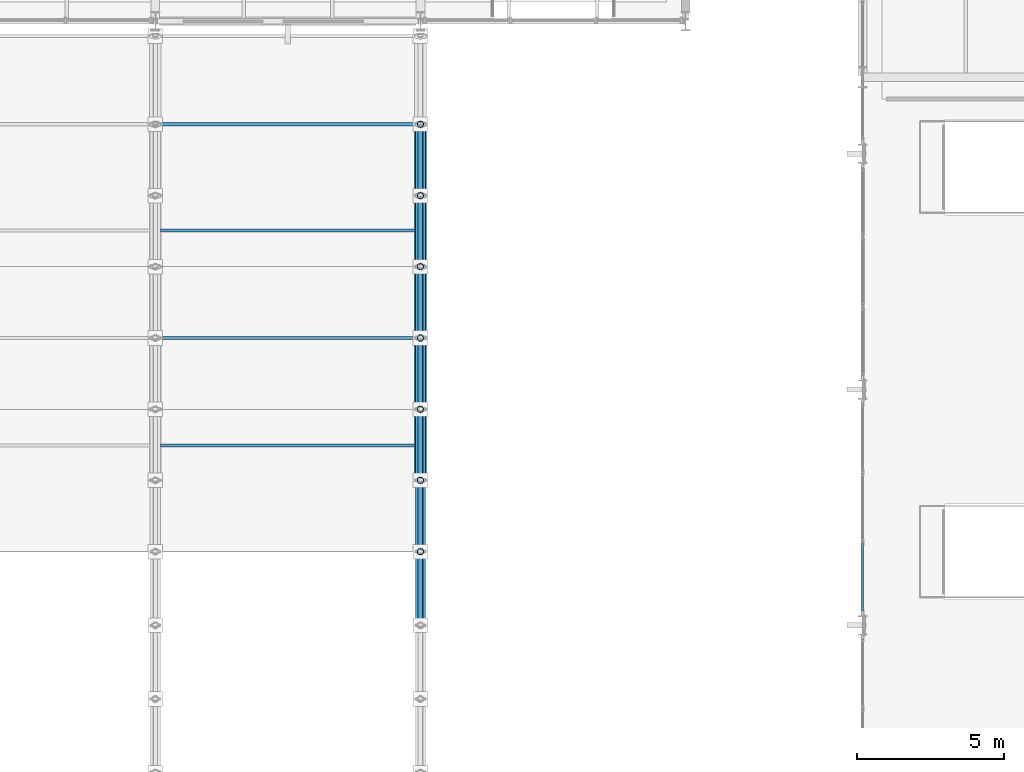
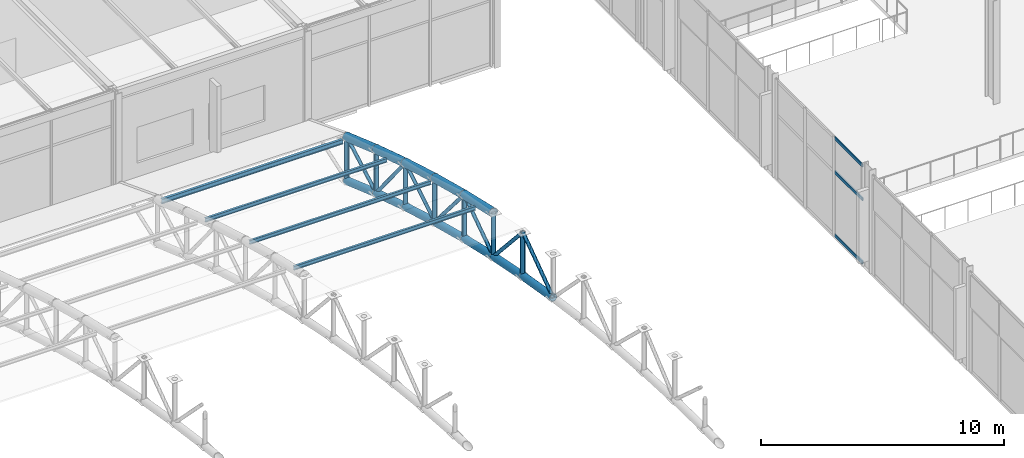
# One storey, part 48 of 195: 33 members, 1 element without a shape of its own.
"""IFC4 building model written with IfcOpenShell, lengths in metres."""

from ifc_helpers import new_model, si_unit, direction, frame, origin, origin_2d, place, context, subcontext, project, spatial, hollow_rectangle, hollow_circle, i_section, extrude, material, layer, layer_set, material_profile, profile_set, type_object, element, aggregate, save


model = new_model("IFC4")

# Units and contexts
model_context = context("Model", 3, precision=1e-05, world=origin(), true_north=direction((0.0, 1.0)))
body_context = subcontext(model_context, "Body", "Model", "MODEL_VIEW")
ifc_project = project(units=[si_unit("LENGTHUNIT", "METRE"), si_unit("AREAUNIT", "SQUARE_METRE"), si_unit("VOLUMEUNIT", "CUBIC_METRE"), si_unit("PLANEANGLEUNIT", "RADIAN"), si_unit("MASSUNIT", "GRAM", prefix="KILO")], contexts=[model_context])

# Site, building, storey
site_placement = place(None, origin())
site = spatial("IfcSite", under=ifc_project, at=site_placement, CompositionType="ELEMENT")
building_placement = place(site_placement, origin())
building = spatial("IfcBuilding", under=site, at=building_placement, Name="Marlcrest Central Station", CompositionType="ELEMENT")
storey_placement = place(building_placement, frame((0.0, 0.0, 9.800048828125)))
storey = spatial("IfcBuildingStorey", under=building, at=storey_placement, Name="L02", CompositionType="ELEMENT", Elevation=9.800048828125)

# Members
ifc_material_1 = material(Name="Steel S355", Category="steel")
ifc_material_profile_1 = material_profile(ifc_material_1, hollow_circle(Radius=0.203125, WallThickness=0.02001953125, at=origin_2d()), Name="CHS 406.4x20")
ifc_profile_set_1 = profile_set([ifc_material_profile_1], Name="Steel S355")
member_type_1 = type_object("IfcMemberType", Name="AC-01", PredefinedType="CHORD", material=ifc_profile_set_1)
member_1_placement = place(storey_placement, frame((72.0, 83.419921875, 5.116943359375), z_axis=(0.0, 0.974329612642, -0.225126200004), x_axis=(-1.0, 0.0, 0.0)))
element("IfcMember", 1, at=member_1_placement, inside=storey, type_object=member_type_1, Name="mem-AC-01-L02-01067", PredefinedType="CHORD", context=body_context, shape_type="SweptSolid", body=[
    extrude(hollow_circle(Radius=0.203125, WallThickness=0.02001953125, at=origin_2d()), origin(), (0.0, 0.0, 1.0), 2.4736328125),
])
member_2_placement = place(storey_placement, frame((72.0, 85.830078125, 4.56005859375), z_axis=(0.0, 0.967539481681, -0.252719906989), x_axis=(-1.0, 0.0, 0.0)))
element("IfcMember", 2, at=member_2_placement, inside=storey, type_object=member_type_1, Name="mem-AC-01-L02-01071", PredefinedType="CHORD", context=body_context, shape_type="SweptSolid", body=[
    extrude(hollow_circle(Radius=0.203125, WallThickness=0.02001953125, at=origin_2d()), origin(), (0.0, 0.0, 1.0), 2.501220703125),
])
member_3_placement = place(storey_placement, frame((72.0, 88.25, 3.927978515625), z_axis=(0.0, 0.960130083362, -0.27955361386), x_axis=(-1.0, 0.0, 0.0)))
element("IfcMember", 3, at=member_3_placement, inside=storey, type_object=member_type_1, Name="mem-AC-01-L02-01075", PredefinedType="CHORD", context=body_context, shape_type="SweptSolid", body=[
    extrude(hollow_circle(Radius=0.203125, WallThickness=0.02001953125, at=origin_2d()), origin(), (0.0, 0.0, 1.0), 2.5205078125),
])
member_4_placement = place(storey_placement, frame((72.0, 90.669921875, 3.223388671875), z_axis=(0.0, 0.952116828449, -0.305734435391), x_axis=(-1.0, 0.0, 0.0)))
element("IfcMember", 4, at=member_4_placement, inside=storey, type_object=member_type_1, Name="mem-AC-01-L02-01079", PredefinedType="CHORD", context=body_context, shape_type="SweptSolid", body=[
    extrude(hollow_circle(Radius=0.203125, WallThickness=0.02001953125, at=origin_2d()), origin(), (0.0, 0.0, 1.0), 2.53125),
])
member_5_placement = place(storey_placement, frame((72.0, 93.080078125, 2.449462890625), z_axis=(0.0, 0.94353735649, -0.331266142109), x_axis=(-1.0, 0.0, 0.0)))
element("IfcMember", 5, at=member_5_placement, inside=storey, type_object=member_type_1, Name="mem-AC-01-L02-01083", PredefinedType="CHORD", context=body_context, shape_type="SweptSolid", body=[
    extrude(hollow_circle(Radius=0.203125, WallThickness=0.02001953125, at=origin_2d()), origin(), (0.0, 0.0, 1.0), 2.564697265625),
])
ifc_material_profile_2 = material_profile(ifc_material_1, hollow_circle(Radius=0.177734375, WallThickness=0.01611328125, at=origin_2d()), Name="CHS 355.6x16")
ifc_profile_set_2 = profile_set([ifc_material_profile_2], Name="Steel S355")
member_type_2 = type_object("IfcMemberType", Name="AC-02", PredefinedType="CHORD", material=ifc_profile_set_2)
member_6_placement = place(storey_placement, frame((72.0, 78.5, 3.83056640625), z_axis=(0.0, 0.98574109921, -0.168269086076), x_axis=(-1.0, 0.0, 0.0)))
element("IfcMember", 6, at=member_6_placement, inside=storey, type_object=member_type_2, Name="mem-AC-02-L02-01060", PredefinedType="CHORD", context=body_context, shape_type="SweptSolid", body=[
    extrude(hollow_circle(Radius=0.177734375, WallThickness=0.01611328125, at=origin_2d()), origin(), (0.0, 0.0, 1.0), 2.5361328125),
])
member_7_placement = place(storey_placement, frame((72.0, 81.0, 3.40380859375), z_axis=(0.0, 0.980359417961, -0.197219196874), x_axis=(-1.0, 0.0, 0.0)))
element("IfcMember", 7, at=member_7_placement, inside=storey, type_object=member_type_2, Name="mem-AC-02-L02-01064", PredefinedType="CHORD", context=body_context, shape_type="SweptSolid", body=[
    extrude(hollow_circle(Radius=0.177734375, WallThickness=0.01611328125, at=origin_2d()), origin(), (0.0, 0.0, 1.0), 2.468505859375),
])
member_8_placement = place(storey_placement, frame((72.0, 83.419921875, 2.9169921875), z_axis=(0.0, 0.974307959875, -0.225219891049), x_axis=(-1.0, 0.0, 0.0)))
element("IfcMember", 8, at=member_8_placement, inside=storey, type_object=member_type_2, Name="mem-AC-02-L02-01068", PredefinedType="CHORD", context=body_context, shape_type="SweptSolid", body=[
    extrude(hollow_circle(Radius=0.177734375, WallThickness=0.01611328125, at=origin_2d()), origin(), (0.0, 0.0, 1.0), 2.4736328125),
])
member_9_placement = place(storey_placement, frame((72.0, 85.830078125, 2.35986328125), z_axis=(0.0, 0.967563345928, -0.252628524946), x_axis=(-1.0, 0.0, 0.0)))
element("IfcMember", 9, at=member_9_placement, inside=storey, type_object=member_type_2, Name="mem-AC-02-L02-01072", PredefinedType="CHORD", context=body_context, shape_type="SweptSolid", body=[
    extrude(hollow_circle(Radius=0.177734375, WallThickness=0.01611328125, at=origin_2d()), origin(), (0.0, 0.0, 1.0), 2.5009765625),
])
member_10_placement = place(storey_placement, frame((72.0, 88.25, 1.72802734375), z_axis=(0.0, 0.960130083362, -0.27955361386), x_axis=(-1.0, 0.0, 0.0)))
element("IfcMember", 10, at=member_10_placement, inside=storey, type_object=member_type_2, Name="mem-AC-02-L02-01076", PredefinedType="CHORD", context=body_context, shape_type="SweptSolid", body=[
    extrude(hollow_circle(Radius=0.177734375, WallThickness=0.01611328125, at=origin_2d()), origin(), (0.0, 0.0, 1.0), 2.5205078125),
])
member_11_placement = place(storey_placement, frame((72.0, 90.669921875, 1.0234375), z_axis=(0.0, 0.952116828449, -0.305734435391), x_axis=(-1.0, 0.0, 0.0)))
element("IfcMember", 11, at=member_11_placement, inside=storey, type_object=member_type_2, Name="mem-AC-02-L02-01080", PredefinedType="CHORD", context=body_context, shape_type="SweptSolid", body=[
    extrude(hollow_circle(Radius=0.177734375, WallThickness=0.01611328125, at=origin_2d()), origin(), (0.0, 0.0, 1.0), 2.53125),
])
member_12_placement = place(storey_placement, frame((72.0, 93.080078125, 0.24951171875), z_axis=(0.0, 0.94353735649, -0.331266142109), x_axis=(-1.0, 0.0, 0.0)))
element("IfcMember", 12, at=member_12_placement, inside=storey, type_object=member_type_2, Name="mem-AC-02-L02-01084", PredefinedType="CHORD", context=body_context, shape_type="SweptSolid", body=[
    extrude(hollow_circle(Radius=0.177734375, WallThickness=0.01611328125, at=origin_2d()), origin(), (0.0, 0.0, 1.0), 2.564697265625),
])
ifc_material_profile_3 = material_profile(ifc_material_1, hollow_circle(Radius=0.084228515625, WallThickness=0.010009765625, at=origin_2d()), Name="CHS 168.3x10")
ifc_profile_set_3 = profile_set([ifc_material_profile_3], Name="Steel S355")
member_type_3 = type_object("IfcMemberType", Name="AD-01", PredefinedType="BRACE", material=ifc_profile_set_3)
member_13_placement = place(storey_placement, frame((72.0, 78.5, 3.83056640625), z_axis=(0.0, 0.815661132754, 0.57852996164), x_axis=(-1.0, 0.0, 0.0)))
element("IfcMember", 13, at=member_13_placement, inside=storey, type_object=member_type_3, Name="mem-AD-01-L02-01062", PredefinedType="BRACE", context=body_context, shape_type="SweptSolid", body=[
    extrude(hollow_circle(Radius=0.084228515625, WallThickness=0.010009765625, at=origin_2d()), origin(), (0.0, 0.0, 1.0), 3.06494140625),
])
member_14_placement = place(storey_placement, frame((72.0, 81.0, 5.603759765625), z_axis=(0.0, 0.669244457479, -0.743042297675), x_axis=(-1.0, 0.0, 0.0)))
element("IfcMember", 14, at=member_14_placement, inside=storey, type_object=member_type_3, Name="mem-AD-01-L02-01066", PredefinedType="BRACE", context=body_context, shape_type="SweptSolid", body=[
    extrude(hollow_circle(Radius=0.084228515625, WallThickness=0.010009765625, at=origin_2d()), origin(), (0.0, 0.0, 1.0), 3.615966796875),
])
member_15_placement = place(storey_placement, frame((72.0, 83.419921875, 2.9169921875), z_axis=(0.0, 0.82626275624, 0.563284881432), x_axis=(-1.0, 0.0, 0.0)))
element("IfcMember", 15, at=member_15_placement, inside=storey, type_object=member_type_3, Name="mem-AD-01-L02-01070", PredefinedType="BRACE", context=body_context, shape_type="SweptSolid", body=[
    extrude(hollow_circle(Radius=0.084228515625, WallThickness=0.010009765625, at=origin_2d()), origin(), (0.0, 0.0, 1.0), 2.9169921875),
])
member_16_placement = place(storey_placement, frame((72.0, 85.830078125, 4.56005859375), z_axis=(0.0, 0.649624779144, -0.760254987699), x_axis=(-1.0, 0.0, 0.0)))
element("IfcMember", 16, at=member_16_placement, inside=storey, type_object=member_type_3, Name="mem-AD-01-L02-01074", PredefinedType="BRACE", context=body_context, shape_type="SweptSolid", body=[
    extrude(hollow_circle(Radius=0.084228515625, WallThickness=0.010009765625, at=origin_2d()), origin(), (0.0, 0.0, 1.0), 3.72509765625),
])
member_17_placement = place(storey_placement, frame((72.0, 88.25, 1.72802734375), z_axis=(0.0, 0.850687380038, 0.525671933286), x_axis=(-1.0, 0.0, 0.0)))
element("IfcMember", 17, at=member_17_placement, inside=storey, type_object=member_type_3, Name="mem-AD-01-L02-01078", PredefinedType="BRACE", context=body_context, shape_type="SweptSolid", body=[
    extrude(hollow_circle(Radius=0.084228515625, WallThickness=0.010009765625, at=origin_2d()), origin(), (0.0, 0.0, 1.0), 2.8447265625),
])
member_18_placement = place(storey_placement, frame((72.0, 90.669921875, 3.223388671875), z_axis=(0.0, 0.62962929743, -0.776895712318), x_axis=(-1.0, 0.0, 0.0)))
element("IfcMember", 18, at=member_18_placement, inside=storey, type_object=member_type_3, Name="mem-AD-01-L02-01082", PredefinedType="BRACE", context=body_context, shape_type="SweptSolid", body=[
    extrude(hollow_circle(Radius=0.084228515625, WallThickness=0.010009765625, at=origin_2d()), origin(), (0.0, 0.0, 1.0), 3.827880859375),
])
member_19_placement = place(storey_placement, frame((72.0, 93.080078125, 0.24951171875), z_axis=(0.0, 0.873245653167, 0.487280236851), x_axis=(-1.0, 0.0, 0.0)))
element("IfcMember", 19, at=member_19_placement, inside=storey, type_object=member_type_3, Name="mem-AD-01-L02-01086", PredefinedType="BRACE", context=body_context, shape_type="SweptSolid", body=[
    extrude(hollow_circle(Radius=0.084228515625, WallThickness=0.010009765625, at=origin_2d()), origin(), (0.0, 0.0, 1.0), 2.771240234375),
])
ifc_material_profile_4 = material_profile(ifc_material_1, hollow_circle(Radius=0.109619140625, WallThickness=0.012451171875, at=origin_2d()), Name="CHS 219.1x12.5")
ifc_profile_set_4 = profile_set([ifc_material_profile_4], Name="Steel S355")
member_type_4 = type_object("IfcMemberType", Name="AP-01", PredefinedType="POST", material=ifc_profile_set_4)
for number, where, z_axis, x_axis, name in (
    (20, (72.0, 81.0, 3.40380859375), (0.0, 0.0, 1.0), (1.0, 0.0, 0.0), "mem-AP-01-L02-01065"),
    (21, (72.0, 83.419921875, 2.9169921875), (0.0, 0.0, 1.0), (1.0, 0.0, 0.0), "mem-AP-01-L02-01069"),
):
    element("IfcMember", number, at=place(storey_placement, frame(where, z_axis=z_axis, x_axis=x_axis)), inside=storey, type_object=member_type_4, Name=name, PredefinedType="POST", context=body_context, shape_type="SweptSolid", body=[
        extrude(hollow_circle(Radius=0.109619140625, WallThickness=0.012451171875, at=origin_2d()), origin(), (0.0, 0.0, 1.0), 2.199951171875),
    ])
member_20_placement = place(storey_placement, frame((72.0, 85.830078125, 2.35986328125), z_axis=(0.0, 0.0, 1.0), x_axis=(1.0, 0.0, 0.0)))
element("IfcMember", 22, at=member_20_placement, inside=storey, type_object=member_type_4, Name="mem-AP-01-L02-01073", PredefinedType="POST", context=body_context, shape_type="SweptSolid", body=[
    extrude(hollow_circle(Radius=0.109619140625, WallThickness=0.012451171875, at=origin_2d()), origin(), (0.0, 0.0, 1.0), 2.2001953125),
])
for number, where, z_axis, x_axis, name in (
    (23, (72.0, 88.25, 1.72802734375), (0.0, 0.0, 1.0), (1.0, 0.0, 0.0), "mem-AP-01-L02-01077"),
    (24, (72.0, 90.669921875, 1.0234375), (0.0, 0.0, 1.0), (1.0, 0.0, 0.0), "mem-AP-01-L02-01081"),
    (25, (72.0, 93.080078125, 0.24951171875), (0.0, 0.0, 1.0), (1.0, 0.0, 0.0), "mem-AP-01-L02-01085"),
    (26, (72.0, 95.5, -0.60009765625), (0.0, 0.0, 1.0), (1.0, 0.0, 0.0), "mem-AP-01-L02-01088"),
):
    element("IfcMember", number, at=place(storey_placement, frame(where, z_axis=z_axis, x_axis=x_axis)), inside=storey, type_object=member_type_4, Name=name, PredefinedType="POST", context=body_context, shape_type="SweptSolid", body=[
        extrude(hollow_circle(Radius=0.109619140625, WallThickness=0.012451171875, at=origin_2d()), origin(), (0.0, 0.0, 1.0), 2.199951171875),
    ])
ifc_material_profile_5 = material_profile(ifc_material_1, i_section(OverallWidth=0.10009765625, OverallDepth=0.199951171875, WebThickness=0.005615234375, FlangeThickness=0.008544921875, FilletRadius=0.011962890625, at=origin_2d()), Name="IPE 200")
ifc_profile_set_5 = profile_set([ifc_material_profile_5], Name="Steel S355")
member_type_5 = type_object("IfcMemberType", Name="PR-01", PredefinedType="PURLIN", material=ifc_profile_set_5)
for number, where, z_axis, x_axis, name in (
    (27, (63.179931640625, 84.60009765625, 4.713134765625), (1.0, 0.0, 0.0), (0.0, 1.0, 0.0), "mem-PR-01-L02-00984"),
    (28, (63.179931640625, 88.25, 3.7880859375), (1.0, 0.0, 0.0), (0.0, 1.0, 0.0), "mem-PR-01-L02-00985"),
    (29, (63.179931640625, 91.89990234375, 2.697509765625), (1.0, 0.0, 0.0), (0.0, 1.0, 0.0), "mem-PR-01-L02-00986"),
):
    element("IfcMember", number, at=place(storey_placement, frame(where, z_axis=z_axis, x_axis=x_axis)), inside=storey, type_object=member_type_5, Name=name, PredefinedType="PURLIN", context=body_context, shape_type="SweptSolid", body=[
        extrude(i_section(OverallWidth=0.10009765625, OverallDepth=0.199951171875, WebThickness=0.005615234375, FlangeThickness=0.008544921875, FilletRadius=0.011962890625, at=origin_2d()), origin(), (0.0, 0.0, 1.0), 8.64013671875),
    ])
ifc_material_profile_6 = material_profile(ifc_material_1, i_section(OverallWidth=0.1201171875, OverallDepth=0.239990234375, WebThickness=0.006103515625, FlangeThickness=0.009765625, FilletRadius=0.014892578125, at=origin_2d()), Name="IPE 240")
ifc_profile_set_6 = profile_set([ifc_material_profile_6], Name="Steel S355")
member_type_6 = type_object("IfcMemberType", Name="PR-02", PredefinedType="PURLIN", material=ifc_profile_set_6)
member_21_placement = place(storey_placement, frame((63.179931640625, 95.5, 1.4599609375), z_axis=(1.0, 0.0, 0.0), x_axis=(0.0, 1.0, 0.0)))
element("IfcMember", 30, at=member_21_placement, inside=storey, type_object=member_type_6, Name="mem-PR-02-L02-00987", PredefinedType="PURLIN", context=body_context, shape_type="SweptSolid", body=[
    extrude(i_section(OverallWidth=0.1201171875, OverallDepth=0.239990234375, WebThickness=0.006103515625, FlangeThickness=0.009765625, FilletRadius=0.014892578125, at=origin_2d()), origin(), (0.0, 0.0, 1.0), 8.64013671875),
])

# Curtain wall, members
ifc_material_2 = material(Name="Anodised aluminium and hurricane laminated glass", Category="aluminium")
ifc_layer = layer(ifc_material_2, 0.219970703125, Name="CW-U1")
ifc_layer_set = layer_set([ifc_layer], Name="Anodised aluminium and hurricane laminated glass")
curtain_wall_type = type_object("IfcCurtainWallType", Name="CW-U1", PredefinedType="USERDEFINED", material=ifc_layer_set)
curtain_wall_placement = place(storey_placement, origin())
curtain_wall = element("IfcCurtainWall", 31, at=curtain_wall_placement, inside=storey, type_object=curtain_wall_type, Name="cw-L02-0127", ObjectType="UNITISED_CURTAIN_WALL", PredefinedType="USERDEFINED")
ifc_material_3 = material(Name="Anodised aluminium 6063-T6", Category="aluminium")
ifc_material_profile_7 = material_profile(ifc_material_3, hollow_rectangle(XDim=0.06005859375, YDim=0.14990234375, WallThickness=0.00390625, at=origin_2d()), Name="AA-RHS 150x60x4")
ifc_profile_set_7 = profile_set([ifc_material_profile_7], Name="Anodised aluminium 6063-T6")
member_type_7 = type_object("IfcMemberType", Name="TR-01", PredefinedType="USERDEFINED", material=ifc_profile_set_7)
member_22_placement = place(storey_placement, frame((87.0, 78.988037109375, 0.0400390625), z_axis=(0.0, 1.0, 0.0), x_axis=(-1.0, 0.0, 0.0)))
member_22 = element("IfcMember", 32, at=member_22_placement, type_object=member_type_7, Name="cw-L02-0127-tr-0-sill", ObjectType="TRANSOM", PredefinedType="USERDEFINED", context=body_context, shape_type="SweptSolid", body=[
    extrude(hollow_rectangle(XDim=0.06005859375, YDim=0.14990234375, WallThickness=0.00390625, at=origin_2d()), origin(), (0.0, 0.0, 1.0), 2.290771484375),
])
member_23_placement = place(storey_placement, frame((87.0, 78.988037109375, 3.218017578125), z_axis=(0.0, 1.0, 0.0), x_axis=(-1.0, 0.0, 0.0)))
member_23 = element("IfcMember", 33, at=member_23_placement, type_object=member_type_7, Name="cw-L02-0127-tr-0-mid", ObjectType="TRANSOM", PredefinedType="USERDEFINED", context=body_context, shape_type="SweptSolid", body=[
    extrude(hollow_rectangle(XDim=0.06005859375, YDim=0.14990234375, WallThickness=0.00390625, at=origin_2d()), origin(), (0.0, 0.0, 1.0), 2.290771484375),
])
member_24_placement = place(storey_placement, frame((87.0, 78.988037109375, 4.909912109375), z_axis=(0.0, 1.0, 0.0), x_axis=(-1.0, 0.0, 0.0)))
member_24 = element("IfcMember", 34, at=member_24_placement, type_object=member_type_7, Name="cw-L02-0127-tr-0-head", ObjectType="TRANSOM", PredefinedType="USERDEFINED", context=body_context, shape_type="SweptSolid", body=[
    extrude(hollow_rectangle(XDim=0.06005859375, YDim=0.14990234375, WallThickness=0.00390625, at=origin_2d()), origin(), (0.0, 0.0, 1.0), 2.290771484375),
])
aggregate(curtain_wall, [member_22, member_23, member_24])

save(model, "model.ifc")
